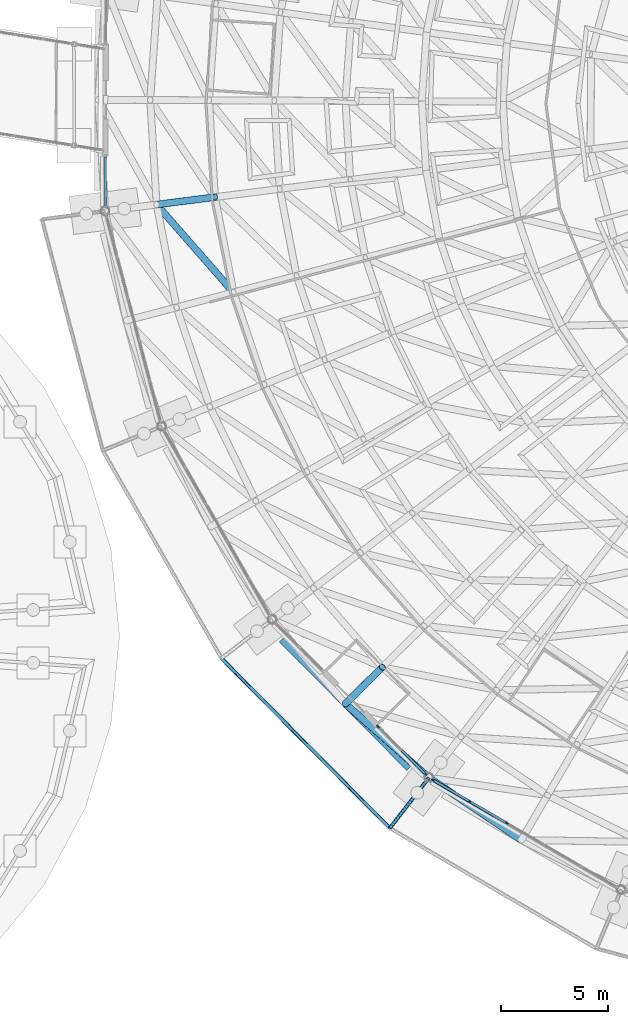
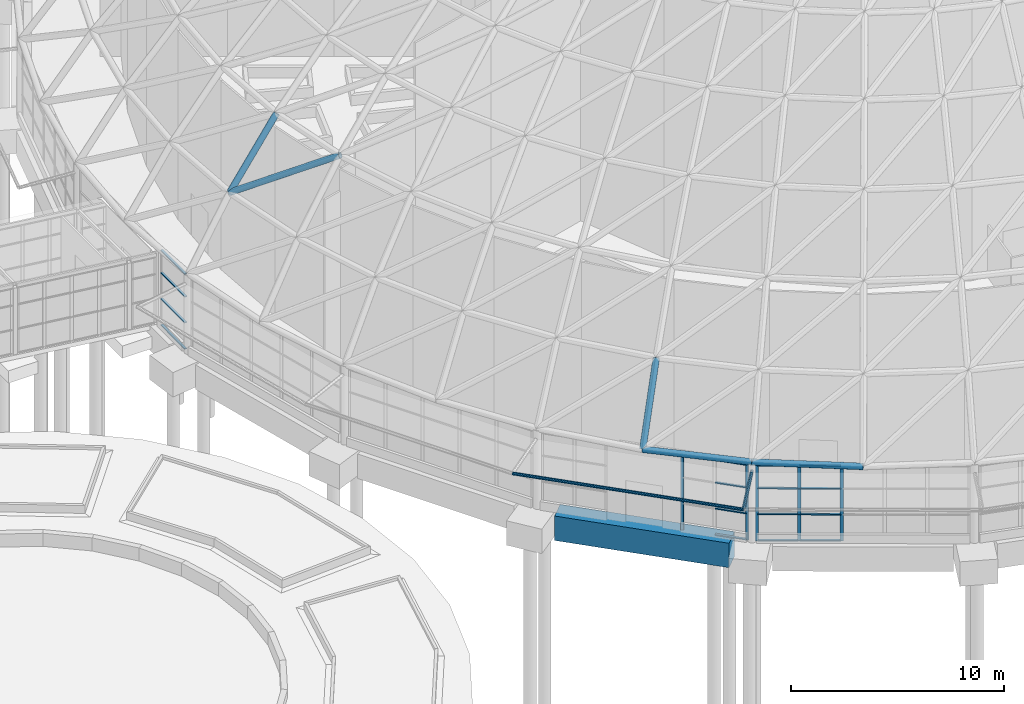
# One storey, part 73 of 226: 28 members, 1 beam, 3 elements without a shape of their own.
"""IFC4 building model written with IfcOpenShell, lengths in metres."""

from ifc_helpers import new_model, si_unit, direction, frame, origin, origin_2d, place, context, subcontext, project, spatial, rectangle, hollow_circle, extrude, material, material_profile, profile_set, type_object, element, aggregate, save


model = new_model("IFC4")

# Units and contexts
model_context = context("Model", 3, precision=1e-05, world=origin(), true_north=direction((0.0, 1.0)))
body_context = subcontext(model_context, "Body", "Model", "MODEL_VIEW")
ifc_project = project(units=[si_unit("LENGTHUNIT", "METRE"), si_unit("AREAUNIT", "SQUARE_METRE"), si_unit("VOLUMEUNIT", "CUBIC_METRE"), si_unit("PLANEANGLEUNIT", "RADIAN"), si_unit("MASSUNIT", "GRAM", prefix="KILO")], contexts=[model_context])

# Site, building, storey
site_placement = place(None, origin())
site = spatial("IfcSite", under=ifc_project, at=site_placement, CompositionType="ELEMENT")
building_placement = place(site_placement, origin())
building = spatial("IfcBuilding", under=site, at=building_placement, Name="Ceibo Conservatory and Research Tower", CompositionType="ELEMENT")
storey_placement = place(building_placement, origin())
storey = spatial("IfcBuildingStorey", under=building, at=storey_placement, Name="L00", CompositionType="ELEMENT", Elevation=0.0)

# Members
ifc_material_1 = material(Name="Steel ASTM A500 Gr C", Category="steel")
ifc_material_profile_1 = material_profile(ifc_material_1, hollow_circle(Radius=0.084228515625, WallThickness=0.007080078125, at=origin_2d()), Name="CHS 168.3x7.11")
ifc_profile_set_1 = profile_set([ifc_material_profile_1], Name="Steel ASTM A500 Gr C")
member_type_1 = type_object("IfcMemberType", Name="CHS 168.3x7.11", PredefinedType="NOTDEFINED", material=ifc_profile_set_1)
member_1_placement = place(storey_placement, frame((131.51123046875, 76.372314453125, 4.0), z_axis=(-0.611588288866, -0.789869974029, -0.04544435112), x_axis=(0.790686854918, -0.612220791431, 0.0)))
element("IfcMember", 1, at=member_1_placement, inside=storey, type_object=member_type_1, Name="Brim brace bracket A-BK16", PredefinedType="BRACE", context=body_context, shape_type="SweptSolid", body=[
    extrude(hollow_circle(Radius=0.084228515625, WallThickness=0.007080078125, at=origin_2d()), origin(), (0.0, 0.0, 1.0), 3.003173828125),
])
member_2_placement = place(storey_placement, frame((121.77197265625, 81.972412109375, 3.863525390625), z_axis=(0.704000724253, -0.710199253908, 0.0), x_axis=(0.710199253908, 0.704000724253, 0.0)))
element("IfcMember", 2, at=member_2_placement, inside=storey, type_object=member_type_1, Name="Brim tip ring A-TR18", PredefinedType="CHORD", context=body_context, shape_type="SweptSolid", body=[
    extrude(hollow_circle(Radius=0.084228515625, WallThickness=0.007080078125, at=origin_2d()), origin(), (0.0, 0.0, 1.0), 11.225341796875),
])
ifc_material_profile_2 = material_profile(ifc_material_1, hollow_circle(Radius=0.161865234375, WallThickness=0.01416015625, at=origin_2d()), Name="CHS 323.9x14.27")
ifc_profile_set_2 = profile_set([ifc_material_profile_2], Name="Steel ASTM A500 Gr C")
member_type_2 = type_object("IfcMemberType", Name="CHS 323.9x14.27", PredefinedType="NOTDEFINED", material=ifc_profile_set_2)
member_3_placement = place(storey_placement, frame((127.593017578125, 79.839111328125, 4.5), z_axis=(0.396604767338, 0.393356662776, 0.829442701079), x_axis=(-0.704193399576, 0.710008208399, 0.0)))
element("IfcMember", 3, at=member_3_placement, inside=storey, type_object=member_type_2, Name="Gridshell member A-M30-01", PredefinedType="RAFTER", context=body_context, shape_type="SweptSolid", body=[
    extrude(hollow_circle(Radius=0.161865234375, WallThickness=0.01416015625, at=origin_2d()), origin(), (0.0, 0.0, 1.0), 4.359619140625),
])
member_4_placement = place(storey_placement, frame((118.735107421875, 103.259033203125, 8.115966796875), z_axis=(0.628180888534, 0.080049089505, 0.773938572854), x_axis=(-0.126407800723, 0.991978360609, 0.0)))
element("IfcMember", 4, at=member_4_placement, inside=storey, type_object=member_type_2, Name="Gridshell member A-M25-02", PredefinedType="RAFTER", context=body_context, shape_type="SweptSolid", body=[
    extrude(hollow_circle(Radius=0.161865234375, WallThickness=0.01416015625, at=origin_2d()), origin(), (0.0, 0.0, 1.0), 4.3583984375),
])
ifc_material_2 = material(Name="Steel S355J2H", Category="steel")
ifc_material_profile_3 = material_profile(ifc_material_2, hollow_circle(Radius=0.161865234375, WallThickness=0.025390625, at=origin_2d()), Name="CHS 323.9x25.40")
ifc_profile_set_3 = profile_set([ifc_material_profile_3], Name="Steel S355J2H")
member_type_3 = type_object("IfcMemberType", Name="CHS 323.9x25.40", PredefinedType="NOTDEFINED", material=ifc_profile_set_3)
member_5_placement = place(storey_placement, frame((127.593017578125, 79.839111328125, 4.5), z_axis=(0.748887885709, -0.662696713918, 0.0), x_axis=(0.662696713918, 0.748887885709, 0.0)))
element("IfcMember", 5, at=member_5_placement, inside=storey, type_object=member_type_3, Name="Gridshell member A-C01-30", PredefinedType="CHORD", context=body_context, shape_type="SweptSolid", body=[
    extrude(hollow_circle(Radius=0.161865234375, WallThickness=0.025390625, at=origin_2d()), origin(), (0.0, 0.0, 1.0), 5.231689453125),
])
member_6_placement = place(storey_placement, frame((131.510986328125, 76.3720703125, 4.5), z_axis=(0.829131483368, -0.55905364974, 0.0), x_axis=(0.55905364974, 0.829131483368, 0.0)))
element("IfcMember", 6, at=member_6_placement, inside=storey, type_object=member_type_3, Name="Gridshell member A-C01-31", PredefinedType="CHORD", context=body_context, shape_type="SweptSolid", body=[
    extrude(hollow_circle(Radius=0.161865234375, WallThickness=0.025390625, at=origin_2d()), origin(), (0.0, 0.0, 1.0), 5.232177734375),
])
ifc_material_profile_4 = material_profile(ifc_material_1, hollow_circle(Radius=0.161865234375, WallThickness=0.00830078125, at=origin_2d()), Name="CHS 323.9x8.38")
ifc_profile_set_4 = profile_set([ifc_material_profile_4], Name="Steel ASTM A500 Gr C")
member_type_4 = type_object("IfcMemberType", Name="CHS 323.9x8.38", PredefinedType="NOTDEFINED", material=ifc_profile_set_4)
member_7_placement = place(storey_placement, frame((118.735107421875, 103.259033203125, 8.115966796875), z_axis=(0.560832641487, -0.640626212112, 0.524466209205), x_axis=(0.75241095793, 0.658693973243, 0.0)))
element("IfcMember", 7, at=member_7_placement, inside=storey, type_object=member_type_4, Name="Gridshell diagonal member A-D02-25", PredefinedType="BRACE", context=body_context, shape_type="SweptSolid", body=[
    extrude(hollow_circle(Radius=0.161865234375, WallThickness=0.00830078125, at=origin_2d()), origin(), (0.0, 0.0, 1.0), 6.431396484375),
])

# Curtain wall, members
ifc_material_3 = material(Name="Aluminium and glass", Category="aluminium")
curtain_wall_type = type_object("IfcCurtainWallType", Name="Drum curtain wall", PredefinedType="NOTDEFINED", material=ifc_material_3)
curtain_wall_1_placement = place(storey_placement, origin())
curtain_wall_1 = element("IfcCurtainWall", 8, at=curtain_wall_1_placement, inside=storey, type_object=curtain_wall_type, Name="Drum curtain wall A-CW15E", PredefinedType="NOTDEFINED")
ifc_material_4 = material(Name="Aluminium", Category="aluminium")
ifc_material_profile_5 = material_profile(ifc_material_4, rectangle(XDim=0.06005859375, YDim=0.159912109375, at=origin_2d()), Name="AL 60x160")
ifc_profile_set_5 = profile_set([ifc_material_profile_5], Name="Aluminium")
member_type_5 = type_object("IfcMemberType", Name="Drum mullion 60x160", PredefinedType="MULLION", material=ifc_profile_set_5)
member_8_placement = place(storey_placement, frame((129.1240234375, 78.78076171875, 0.0), z_axis=(0.0, 0.0, 1.0), x_axis=(0.71018535052, 0.704014749779, 0.0)))
member_8 = element("IfcMember", 9, at=member_8_placement, type_object=member_type_5, Name="A-CW15E mullion 1", PredefinedType="MULLION", context=body_context, shape_type="SweptSolid", body=[
    extrude(rectangle(XDim=0.06005859375, YDim=0.159912109375, at=origin_2d()), origin(), (0.0, 0.0, 1.0), 4.338134765625),
])
member_9_placement = place(storey_placement, frame((131.34716796875, 76.5380859375, 0.0), z_axis=(0.0, 0.0, 1.0), x_axis=(0.71018535052, 0.704014749779, 0.0)))
member_9 = element("IfcMember", 10, at=member_9_placement, type_object=member_type_5, Name="A-CW15E mullion 3", PredefinedType="MULLION", context=body_context, shape_type="SweptSolid", body=[
    extrude(rectangle(XDim=0.06005859375, YDim=0.159912109375, at=origin_2d()), origin(), (0.0, 0.0, 1.0), 4.338134765625),
])

curtain_wall_2_placement = place(storey_placement, origin())
curtain_wall_2 = element("IfcCurtainWall", 11, at=curtain_wall_2_placement, inside=storey, type_object=curtain_wall_type, Name="Drum curtain wall A-CW16", PredefinedType="NOTDEFINED")
member_10_placement = place(storey_placement, frame((131.712646484375, 76.2548828125, 0.0), z_axis=(0.0, 0.0, 1.0), x_axis=(0.503773971965, 0.863835508167, 0.0)))
member_10 = element("IfcMember", 12, at=member_10_placement, type_object=member_type_5, Name="A-CW16 mullion 1", PredefinedType="MULLION", context=body_context, shape_type="SweptSolid", body=[
    extrude(rectangle(XDim=0.06005859375, YDim=0.159912109375, at=origin_2d()), origin(), (0.0, 0.0, 1.0), 4.338134765625),
])
member_11_placement = place(storey_placement, frame((133.420654296875, 75.2587890625, 0.0), z_axis=(0.0, 0.0, 1.0), x_axis=(0.503773971965, 0.863835508167, 0.0)))
member_11 = element("IfcMember", 13, at=member_11_placement, type_object=member_type_5, Name="A-CW16 mullion 2", PredefinedType="MULLION", context=body_context, shape_type="SweptSolid", body=[
    extrude(rectangle(XDim=0.06005859375, YDim=0.159912109375, at=origin_2d()), origin(), (0.0, 0.0, 1.0), 4.338134765625),
])
member_12_placement = place(storey_placement, frame((135.154541015625, 74.247802734375, 0.0), z_axis=(0.0, 0.0, 1.0), x_axis=(0.503773971965, 0.863835508167, 0.0)))
member_12 = element("IfcMember", 14, at=member_12_placement, type_object=member_type_5, Name="A-CW16 mullion 3", PredefinedType="MULLION", context=body_context, shape_type="SweptSolid", body=[
    extrude(rectangle(XDim=0.06005859375, YDim=0.159912109375, at=origin_2d()), origin(), (0.0, 0.0, 1.0), 4.338134765625),
])

curtain_wall_3_placement = place(storey_placement, origin())
curtain_wall_3 = element("IfcCurtainWall", 15, at=curtain_wall_3_placement, inside=storey, type_object=curtain_wall_type, Name="Drum curtain wall A-CW12E", PredefinedType="NOTDEFINED")
ifc_material_profile_6 = material_profile(ifc_material_4, rectangle(XDim=0.1201171875, YDim=0.06005859375, at=origin_2d()), Name="AL 60x120")
ifc_profile_set_6 = profile_set([ifc_material_profile_6], Name="Aluminium")
member_type_6 = type_object("IfcMemberType", Name="Drum transom 60x120", PredefinedType="USERDEFINED", material=ifc_profile_set_6)
member_13_placement = place(storey_placement, frame((116.330810546875, 105.484375, 0.030029296875), z_axis=(-0.004303812088, -0.999990738558, 0.0), x_axis=(0.999990738558, -0.004303812088, 0.0)))
member_13 = element("IfcMember", 16, at=member_13_placement, type_object=member_type_6, Name="A-CW12E transom 1.1", ObjectType="TRANSOM", PredefinedType="USERDEFINED", context=body_context, shape_type="SweptSolid", body=[
    extrude(rectangle(XDim=0.1201171875, YDim=0.06005859375, at=origin_2d()), origin(), (0.0, 0.0, 1.0), 2.26904296875),
])
member_14_placement = place(storey_placement, frame((116.330810546875, 105.484375, 1.530029296875), z_axis=(-0.004303812088, -0.999990738558, 0.0), x_axis=(0.999990738558, -0.004303812088, 0.0)))
member_14 = element("IfcMember", 17, at=member_14_placement, type_object=member_type_6, Name="A-CW12E transom 1.2", ObjectType="TRANSOM", PredefinedType="USERDEFINED", context=body_context, shape_type="SweptSolid", body=[
    extrude(rectangle(XDim=0.1201171875, YDim=0.06005859375, at=origin_2d()), origin(), (0.0, 0.0, 1.0), 2.26904296875),
])
member_15_placement = place(storey_placement, frame((116.330810546875, 105.484375, 3.014892578125), z_axis=(-0.004303812088, -0.999990738558, 0.0), x_axis=(0.999990738558, -0.004303812088, 0.0)))
member_15 = element("IfcMember", 18, at=member_15_placement, type_object=member_type_6, Name="A-CW12E transom 1.3", ObjectType="TRANSOM", PredefinedType="USERDEFINED", context=body_context, shape_type="SweptSolid", body=[
    extrude(rectangle(XDim=0.1201171875, YDim=0.06005859375, at=origin_2d()), origin(), (0.0, 0.0, 1.0), 2.26904296875),
])
member_16_placement = place(storey_placement, frame((116.330810546875, 105.484375, 4.30810546875), z_axis=(-0.004303812088, -0.999990738558, 0.0), x_axis=(0.999990738558, -0.004303812088, 0.0)))
member_16 = element("IfcMember", 19, at=member_16_placement, type_object=member_type_6, Name="A-CW12E transom 1.4", ObjectType="TRANSOM", PredefinedType="USERDEFINED", context=body_context, shape_type="SweptSolid", body=[
    extrude(rectangle(XDim=0.1201171875, YDim=0.06005859375, at=origin_2d()), origin(), (0.0, 0.0, 1.0), 2.26904296875),
])
aggregate(curtain_wall_3, [member_13, member_14, member_15, member_16])

# Member
member_17_placement = place(storey_placement, frame((130.256591796875, 77.637939453125, 0.030029296875), z_axis=(0.704046104404, -0.710154266954, 0.0), x_axis=(0.710154266954, 0.704046104404, 0.0)))
member_17 = element("IfcMember", 20, at=member_17_placement, type_object=member_type_6, Name="A-CW15E transom 2.1", ObjectType="TRANSOM", PredefinedType="USERDEFINED", context=body_context, shape_type="SweptSolid", body=[
    extrude(rectangle(XDim=0.1201171875, YDim=0.06005859375, at=origin_2d()), origin(), (0.0, 0.0, 1.0), 1.518798828125),
])

member_18_placement = place(storey_placement, frame((130.256591796875, 77.637939453125, 1.530029296875), z_axis=(0.704046104404, -0.710154266954, 0.0), x_axis=(0.710154266954, 0.704046104404, 0.0)))
member_18 = element("IfcMember", 21, at=member_18_placement, type_object=member_type_6, Name="A-CW15E transom 2.2", ObjectType="TRANSOM", PredefinedType="USERDEFINED", context=body_context, shape_type="SweptSolid", body=[
    extrude(rectangle(XDim=0.1201171875, YDim=0.06005859375, at=origin_2d()), origin(), (0.0, 0.0, 1.0), 1.518798828125),
])

member_19_placement = place(storey_placement, frame((130.256591796875, 77.637939453125, 3.014892578125), z_axis=(0.704046104404, -0.710154266954, 0.0), x_axis=(0.710154266954, 0.704046104404, 0.0)))
member_19 = element("IfcMember", 22, at=member_19_placement, type_object=member_type_6, Name="A-CW15E transom 2.3", ObjectType="TRANSOM", PredefinedType="USERDEFINED", context=body_context, shape_type="SweptSolid", body=[
    extrude(rectangle(XDim=0.1201171875, YDim=0.06005859375, at=origin_2d()), origin(), (0.0, 0.0, 1.0), 1.518798828125),
])

member_20_placement = place(storey_placement, frame((130.256591796875, 77.637939453125, 4.30810546875), z_axis=(0.704046104404, -0.710154266954, 0.0), x_axis=(0.710154266954, 0.704046104404, 0.0)))
member_20 = element("IfcMember", 23, at=member_20_placement, type_object=member_type_6, Name="A-CW15E transom 2.4", ObjectType="TRANSOM", PredefinedType="USERDEFINED", context=body_context, shape_type="SweptSolid", body=[
    extrude(rectangle(XDim=0.1201171875, YDim=0.06005859375, at=origin_2d()), origin(), (0.0, 0.0, 1.0), 1.518798828125),
])

aggregate(curtain_wall_1, [member_8, member_9, member_17, member_18, member_19, member_20])

member_21_placement = place(storey_placement, frame((131.73876953125, 76.23974609375, 0.030029296875), z_axis=(0.863820468427, -0.50379976015, 0.0), x_axis=(0.50379976015, 0.863820468427, 0.0)))
member_21 = element("IfcMember", 24, at=member_21_placement, type_object=member_type_6, Name="A-CW16 transom 1.1", ObjectType="TRANSOM", PredefinedType="USERDEFINED", context=body_context, shape_type="SweptSolid", body=[
    extrude(rectangle(XDim=0.1201171875, YDim=0.06005859375, at=origin_2d()), origin(), (0.0, 0.0, 1.0), 1.9169921875),
])

member_22_placement = place(storey_placement, frame((131.73876953125, 76.23974609375, 1.530029296875), z_axis=(0.863820468427, -0.50379976015, 0.0), x_axis=(0.50379976015, 0.863820468427, 0.0)))
member_22 = element("IfcMember", 25, at=member_22_placement, type_object=member_type_6, Name="A-CW16 transom 1.2", ObjectType="TRANSOM", PredefinedType="USERDEFINED", context=body_context, shape_type="SweptSolid", body=[
    extrude(rectangle(XDim=0.1201171875, YDim=0.06005859375, at=origin_2d()), origin(), (0.0, 0.0, 1.0), 1.9169921875),
])

member_23_placement = place(storey_placement, frame((131.73876953125, 76.23974609375, 3.014892578125), z_axis=(0.863820468427, -0.50379976015, 0.0), x_axis=(0.50379976015, 0.863820468427, 0.0)))
member_23 = element("IfcMember", 26, at=member_23_placement, type_object=member_type_6, Name="A-CW16 transom 1.3", ObjectType="TRANSOM", PredefinedType="USERDEFINED", context=body_context, shape_type="SweptSolid", body=[
    extrude(rectangle(XDim=0.1201171875, YDim=0.06005859375, at=origin_2d()), origin(), (0.0, 0.0, 1.0), 1.9169921875),
])

member_24_placement = place(storey_placement, frame((131.73876953125, 76.23974609375, 4.30810546875), z_axis=(0.863820468427, -0.50379976015, 0.0), x_axis=(0.50379976015, 0.863820468427, 0.0)))
member_24 = element("IfcMember", 27, at=member_24_placement, type_object=member_type_6, Name="A-CW16 transom 1.4", ObjectType="TRANSOM", PredefinedType="USERDEFINED", context=body_context, shape_type="SweptSolid", body=[
    extrude(rectangle(XDim=0.1201171875, YDim=0.06005859375, at=origin_2d()), origin(), (0.0, 0.0, 1.0), 1.9169921875),
])

member_25_placement = place(storey_placement, frame((133.446533203125, 75.243896484375, 0.030029296875), z_axis=(0.86384255657, -0.503761885675, 0.0), x_axis=(0.503761885675, 0.86384255657, 0.0)))
member_25 = element("IfcMember", 28, at=member_25_placement, type_object=member_type_6, Name="A-CW16 transom 2.1", ObjectType="TRANSOM", PredefinedType="USERDEFINED", context=body_context, shape_type="SweptSolid", body=[
    extrude(rectangle(XDim=0.1201171875, YDim=0.06005859375, at=origin_2d()), origin(), (0.0, 0.0, 1.0), 1.947265625),
])

member_26_placement = place(storey_placement, frame((133.446533203125, 75.243896484375, 1.530029296875), z_axis=(0.86384255657, -0.503761885675, 0.0), x_axis=(0.503761885675, 0.86384255657, 0.0)))
member_26 = element("IfcMember", 29, at=member_26_placement, type_object=member_type_6, Name="A-CW16 transom 2.2", ObjectType="TRANSOM", PredefinedType="USERDEFINED", context=body_context, shape_type="SweptSolid", body=[
    extrude(rectangle(XDim=0.1201171875, YDim=0.06005859375, at=origin_2d()), origin(), (0.0, 0.0, 1.0), 1.947265625),
])

member_27_placement = place(storey_placement, frame((133.446533203125, 75.243896484375, 3.014892578125), z_axis=(0.86384255657, -0.503761885675, 0.0), x_axis=(0.503761885675, 0.86384255657, 0.0)))
member_27 = element("IfcMember", 30, at=member_27_placement, type_object=member_type_6, Name="A-CW16 transom 2.3", ObjectType="TRANSOM", PredefinedType="USERDEFINED", context=body_context, shape_type="SweptSolid", body=[
    extrude(rectangle(XDim=0.1201171875, YDim=0.06005859375, at=origin_2d()), origin(), (0.0, 0.0, 1.0), 1.947265625),
])

member_28_placement = place(storey_placement, frame((133.446533203125, 75.243896484375, 4.30810546875), z_axis=(0.86384255657, -0.503761885675, 0.0), x_axis=(0.503761885675, 0.86384255657, 0.0)))
member_28 = element("IfcMember", 31, at=member_28_placement, type_object=member_type_6, Name="A-CW16 transom 2.4", ObjectType="TRANSOM", PredefinedType="USERDEFINED", context=body_context, shape_type="SweptSolid", body=[
    extrude(rectangle(XDim=0.1201171875, YDim=0.06005859375, at=origin_2d()), origin(), (0.0, 0.0, 1.0), 1.947265625),
])

aggregate(curtain_wall_2, [member_10, member_11, member_12, member_21, member_22, member_23, member_24, member_25, member_26, member_27, member_28])

# Beam
ifc_material_5 = material(Name="Concrete C35/45", Category="concrete")
ifc_material_profile_7 = material_profile(ifc_material_5, rectangle(XDim=1.0, YDim=1.39990234375, at=origin_2d()), Name="RC 1000x1400")
ifc_profile_set_7 = profile_set([ifc_material_profile_7], Name="Concrete C35/45")
beam_type = type_object("IfcBeamType", Name="RC ring beam 1000x1400", PredefinedType="BEAM", material=ifc_profile_set_7)
beam_placement = place(storey_placement, frame((124.845947265625, 83.09619140625, -0.699951171875), z_axis=(0.704009870874, -0.710190187, 0.0), x_axis=(0.710190187, 0.704009870874, 0.0)))
element("IfcBeam", 32, at=beam_placement, inside=storey, type_object=beam_type, Name="Drum ring beam A-RB15", PredefinedType="BEAM", context=body_context, shape_type="SweptSolid", body=[
    extrude(rectangle(XDim=1.0, YDim=1.39990234375, at=origin_2d()), origin(), (0.0, 0.0, 1.0), 8.4931640625),
])

save(model, "model.ifc")
